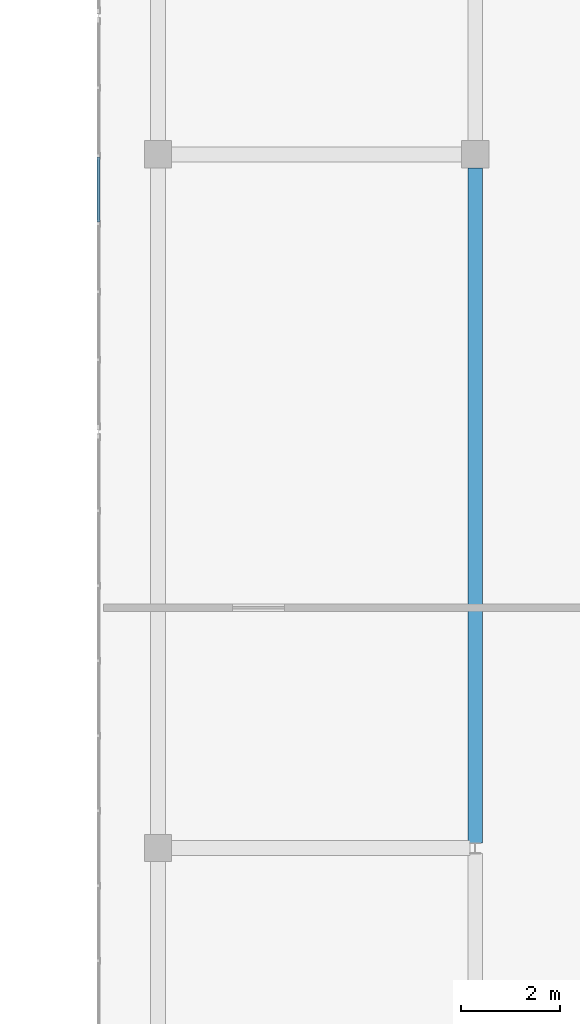
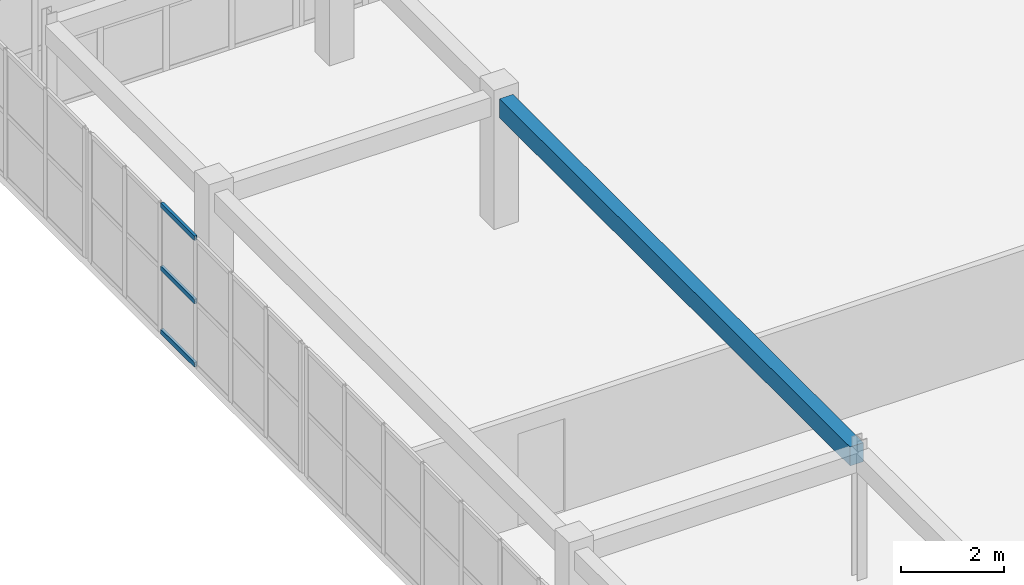
# One storey, part 54 of 148: 3 members, 1 beam, 1 element without a shape of its own.
"""IFC4 building model written with IfcOpenShell, lengths in metres."""

import ifcopenshell
import ifcopenshell.guid

model = None  # the IFC model being written
_history = None  # IfcOwnerHistory: only IFC2X3 demands one
_inside = {}  # id of a spatial element -> (the spatial element, [elements in it])
_under = {}  # id of a project, library or spatial element -> (it, [spatial elements below it])
_declared = {}  # id of a project -> (the project, [libraries it declares])
_typed = {}  # id of a type object -> (the type object, [elements of that type])
_made_of = {}  # id of a material, layer set ... -> (it, [elements and type objects made of it])


def new_model(schema):
    """Start an empty IFC model of exactly this schema.

    Asked for "IFC4X3", IfcOpenShell would pick the latest addendum, in which some entities
    have other attributes; the version numbers below select the first issue.
    IFC2X3 requires an IfcOwnerHistory on every rooted entity: one is made here for all.
    """
    global model, _history
    if schema == "IFC4X3":
        model = ifcopenshell.file(schema_version=(4, 3, 0, 0))
    else:
        model = ifcopenshell.file(schema=schema)
    _inside.clear()
    _under.clear()
    _declared.clear()
    _typed.clear()
    _made_of.clear()
    _history = None
    if model.schema == "IFC2X3":
        org = make("IfcOrganization", Name="unknown")
        user = make(
            "IfcPersonAndOrganization",
            ThePerson=make("IfcPerson", FamilyName="unknown"),
            TheOrganization=org,
        )
        app = make(
            "IfcApplication",
            ApplicationDeveloper=org,
            Version="unknown",
            ApplicationFullName="unknown",
            ApplicationIdentifier="unknown",
        )
        _history = make(
            "IfcOwnerHistory",
            OwningUser=user,
            OwningApplication=app,
            ChangeAction="ADDED",
            CreationDate=0,
        )
    return model


def make(cls, **values):
    """One entity of the class cls with the attributes given. An attribute that is None is left unset."""
    return model.create_entity(
        cls, **{name: value for name, value in values.items() if value is not None}
    )


def rooted(cls, **values):
    """An entity with a GlobalId (a new one), such as an element, a storey or a relation."""
    return make(cls, GlobalId=ifcopenshell.guid.new(), OwnerHistory=_history, **values)


def si_unit(unit_type, name, prefix=None):
    """IfcSIUnit, for example si_unit("LENGTHUNIT", "METRE", prefix="MILLI")."""
    return make("IfcSIUnit", UnitType=unit_type, Prefix=prefix, Name=name)


def assignment(units):
    """IfcUnitAssignment: the units of a project."""
    return None if units is None else make("IfcUnitAssignment", Units=units)


def point(xyz):
    """IfcCartesianPoint."""
    return None if xyz is None else make("IfcCartesianPoint", Coordinates=xyz)


def direction(xyz):
    """IfcDirection."""
    return None if xyz is None else make("IfcDirection", DirectionRatios=xyz)


def frame(location, z_axis=None, x_axis=None):
    """IfcAxis2Placement3D, a coordinate frame: its origin and axes. An axis left out is left unset."""
    return make(
        "IfcAxis2Placement3D",
        Location=point(location),
        Axis=direction(z_axis),
        RefDirection=direction(x_axis),
    )


def frame_2d(location, x_axis=None):
    """IfcAxis2Placement2D, a coordinate frame in the plane: its origin and x axis."""
    return make(
        "IfcAxis2Placement2D", Location=point(location), RefDirection=direction(x_axis)
    )


def origin():
    """The frame at (0, 0, 0) with its axes left unset."""
    return frame((0.0, 0.0, 0.0))


def origin_2d():
    """The frame at (0, 0) in the plane with its x axis left unset."""
    return frame_2d((0.0, 0.0))


def place(relative_to, where):
    """IfcLocalPlacement: puts the frame where relative to a parent placement (None: the world)."""
    return make(
        "IfcLocalPlacement", PlacementRelTo=relative_to, RelativePlacement=where
    )


def context(
    kind, dimensions, precision=None, world=None, true_north=None, identifier=None
):
    """IfcGeometricRepresentationContext, for example the 3D "Model" context."""
    return make(
        "IfcGeometricRepresentationContext",
        ContextIdentifier=identifier,
        ContextType=kind,
        CoordinateSpaceDimension=dimensions,
        Precision=precision,
        WorldCoordinateSystem=world,
        TrueNorth=true_north,
    )


def subcontext(parent, identifier, kind, view, scale=None):
    """IfcGeometricRepresentationSubContext, for example "Body" below "Model"."""
    return make(
        "IfcGeometricRepresentationSubContext",
        ContextIdentifier=identifier,
        ContextType=kind,
        ParentContext=parent,
        TargetScale=scale,
        TargetView=view,
    )


def project(units=None, contexts=None):
    """IfcProject with its units and contexts."""
    return rooted(
        "IfcProject",
        Name="project",
        RepresentationContexts=contexts,
        UnitsInContext=assignment(units),
    )


def spatial(cls, under=None, at=None, **own):
    """A site, building, storey or space (cls), placed at a placement, below another one or the project."""
    s = rooted(cls, ObjectPlacement=at, **own)
    if under is not None:
        _under.setdefault(under.id(), (under, []))[1].append(s)
    return s


def profile(cls, at=None, kind="AREA", **sizes):
    """A parametric profile (cls). Its sizes go by their IFC names, for example OverallWidth=200.0."""
    return make(cls, ProfileType=kind, Position=at, **sizes)


def rectangle(**sizes):
    """IfcRectangleProfileDef."""
    return profile("IfcRectangleProfileDef", **sizes)


def hollow_rectangle(**sizes):
    """IfcRectangleHollowProfileDef."""
    return profile("IfcRectangleHollowProfileDef", **sizes)


def extrude(swept, where, along, depth):
    """IfcExtrudedAreaSolid: the profile swept, set in the frame where, extruded along a direction by depth."""
    return make(
        "IfcExtrudedAreaSolid",
        SweptArea=swept,
        Position=where,
        ExtrudedDirection=direction(along),
        Depth=depth,
    )


def shape(context_of_items, identifier, shape_type, items):
    """IfcShapeRepresentation: the items that make up one representation, for example the "Body"."""
    return make(
        "IfcShapeRepresentation",
        ContextOfItems=context_of_items,
        RepresentationIdentifier=identifier,
        RepresentationType=shape_type,
        Items=items,
    )


def material(Name=None, Category=None):
    """IfcMaterial."""
    return make("IfcMaterial", Name=Name, Category=Category)


def layer(
    of_material, thickness, ventilated=None, Name=None, Category=None, Priority=None
):
    """IfcMaterialLayer: one layer of a wall or slab, of a material (None: an air gap)."""
    return make(
        "IfcMaterialLayer",
        Material=of_material,
        LayerThickness=thickness,
        IsVentilated=ventilated,
        Name=Name,
        Category=Category,
        Priority=Priority,
    )


def layer_set(layers, Name=None):
    """IfcMaterialLayerSet."""
    return make("IfcMaterialLayerSet", MaterialLayers=layers, LayerSetName=Name)


def material_profile(
    of_material, cross_section, Name=None, Category=None, Priority=None
):
    """IfcMaterialProfile: a cross section and its material."""
    return make(
        "IfcMaterialProfile",
        Name=Name,
        Material=of_material,
        Profile=cross_section,
        Priority=Priority,
        Category=Category,
    )


def profile_set(profiles, Name=None, composite=None):
    """IfcMaterialProfileSet."""
    return make(
        "IfcMaterialProfileSet",
        Name=Name,
        MaterialProfiles=profiles,
        CompositeProfile=composite,
    )


def made_of(thing, what):
    """Note that an element or type object is made of a material, layer set ...; save() writes the relation."""
    if what is not None:
        _made_of.setdefault(what.id(), (what, []))[1].append(thing)
    return thing


def type_object(cls, material=None, **own):
    """A type object (cls), such as IfcWallType, which elements share."""
    return made_of(rooted(cls, **own), material)


def element(
    cls,
    number,
    at=None,
    inside=None,
    cuts=None,
    type_object=None,
    material=None,
    context=None,
    identifier="Body",
    shape_type=None,
    held_by="IfcProductDefinitionShape",
    body=None,
    shapes=None,
    **own,
):
    """One element of the class cls, such as IfcWall. Its Tag is "e" and its number.

    at: its placement. inside: the storey or other place that contains it. cuts: it is an
    opening in that element (IfcRelVoidsElement). A single representation is given by context,
    identifier, shape_type and body (its items); several are given by shapes. held_by: the class
    of the entity that holds the representations. save() writes the other relations.
    """
    e = rooted(cls, Tag="e%d" % number, ObjectPlacement=at, **own)
    if body is not None:
        shapes = [shape(context, identifier, shape_type, body)]
    if shapes is not None:
        e.Representation = make(held_by, Representations=shapes)
    if inside is not None:
        _inside.setdefault(inside.id(), (inside, []))[1].append(e)
    if cuts is not None:
        rooted(
            "IfcRelVoidsElement", RelatingBuildingElement=cuts, RelatedOpeningElement=e
        )
    if type_object is not None:
        _typed.setdefault(type_object.id(), (type_object, []))[1].append(e)
    return made_of(e, material)


def aggregate(whole, parts):
    """IfcRelAggregates: a whole, such as a stair, and the parts it consists of."""
    return rooted("IfcRelAggregates", RelatingObject=whole, RelatedObjects=parts)


def save(model, path):
    """Write the relations noted so far, then the file.

    IfcRelAggregates (storeys below a building ...), IfcRelContainedInSpatialStructure (elements
    in a storey), IfcRelDefinesByType, IfcRelAssociatesMaterial and IfcRelDeclares: one each for
    every whole, place, type object, material and project.
    """
    for whole, parts in _under.values():
        aggregate(whole, parts)
    for where, things in _inside.values():
        rooted(
            "IfcRelContainedInSpatialStructure",
            RelatedElements=things,
            RelatingStructure=where,
        )
    for kind, things in _typed.values():
        rooted("IfcRelDefinesByType", RelatedObjects=things, RelatingType=kind)
    for what, things in _made_of.values():
        rooted("IfcRelAssociatesMaterial", RelatedObjects=things, RelatingMaterial=what)
    for by, libraries in _declared.values():
        rooted("IfcRelDeclares", RelatingContext=by, RelatedDefinitions=libraries)
    model.write(path)


model = new_model("IFC4")

# Units and contexts
model_context = context("Model", 3, precision=1e-05, world=origin(), true_north=direction((0.0, 1.0)))
body_context = subcontext(model_context, "Body", "Model", "MODEL_VIEW")
ifc_project = project(units=[si_unit("LENGTHUNIT", "METRE"), si_unit("AREAUNIT", "SQUARE_METRE"), si_unit("VOLUMEUNIT", "CUBIC_METRE"), si_unit("PLANEANGLEUNIT", "RADIAN"), si_unit("MASSUNIT", "GRAM", prefix="KILO")], contexts=[model_context])

# Site, building, storey
site_placement = place(None, origin())
site = spatial("IfcSite", under=ifc_project, at=site_placement, CompositionType="ELEMENT")
building_placement = place(site_placement, origin())
building = spatial("IfcBuilding", under=site, at=building_placement, Name="Trelvath General Hospital", CompositionType="ELEMENT")
storey_placement = place(building_placement, frame((0.0, 0.0, 12.89990234375)))
storey = spatial("IfcBuildingStorey", under=building, at=storey_placement, Name="L03", CompositionType="ELEMENT", Elevation=12.89990234375)

# Beam
ifc_material_1 = material(Name="Concrete C35/45", Category="concrete")
ifc_material_profile_1 = material_profile(ifc_material_1, rectangle(XDim=0.300048828125, YDim=0.449951171875, at=origin_2d()), Name="RCB300x450")
ifc_profile_set_1 = profile_set([ifc_material_profile_1], Name="Concrete C35/45")
beam_type = type_object("IfcBeamType", Name="Beam RC300x450", PredefinedType="BEAM", material=ifc_profile_set_1)
beam_placement = place(storey_placement, frame((60.800048828125, 58.906005859375, 2.835205078125), z_axis=(0.0, 1.0, 0.0), x_axis=(-1.0, 0.0, 0.0)))
element("IfcBeam", 1, at=beam_placement, inside=storey, type_object=beam_type, Name="Cube Interior Ring Beam CUBE-W-T1 L03", PredefinedType="BEAM", context=body_context, shape_type="SweptSolid", body=[
    extrude(rectangle(XDim=0.300048828125, YDim=0.449951171875, at=origin_2d()), origin(), (0.0, 0.0, 1.0), 13.623046875),
])

# Curtain wall, members
ifc_material_2 = material(Name="Anodised aluminium and low-E glass", Category="aluminium")
ifc_layer = layer(ifc_material_2, 0.14990234375)
ifc_layer_set = layer_set([ifc_layer], Name="Anodised aluminium and low-E glass")
curtain_wall_type = type_object("IfcCurtainWallType", Name="CW CrystalCube 824 306 15", PredefinedType="USERDEFINED", material=ifc_layer_set)
curtain_wall_placement = place(storey_placement, origin())
curtain_wall = element("IfcCurtainWall", 2, at=curtain_wall_placement, inside=storey, type_object=curtain_wall_type, Name="Crystal Cube Curtain Wall CUBE-W-T1 W4 L03", ObjectType="Unitised Glazed Curtain Wall", PredefinedType="USERDEFINED")
ifc_material_3 = material(Name="Anodised aluminium", Category="aluminium")
ifc_material_profile_2 = material_profile(ifc_material_3, hollow_rectangle(XDim=0.06005859375, YDim=0.110107421875, WallThickness=0.00390625, at=origin_2d()), Name="RHS60x110x4")
ifc_profile_set_2 = profile_set([ifc_material_profile_2], Name="Anodised aluminium")
member_type = type_object("IfcMemberType", Name="CurtainTransom 60x110", PredefinedType="USERDEFINED", material=ifc_profile_set_2)
member_1_placement = place(storey_placement, frame((53.199951171875, 71.429931640625, 0.030029296875), z_axis=(0.0, 1.0, 0.0), x_axis=(-1.0, 0.0, 0.0)))
member_1 = element("IfcMember", 3, at=member_1_placement, type_object=member_type, Name="CW-240 transom 4.1", ObjectType="TRANSOM", PredefinedType="USERDEFINED", context=body_context, shape_type="SweptSolid", body=[
    extrude(hollow_rectangle(XDim=0.06005859375, YDim=0.110107421875, WallThickness=0.00390625, at=origin_2d()), origin(), (0.0, 0.0, 1.0), 1.3134765625),
])
member_2_placement = place(storey_placement, frame((53.199951171875, 71.429931640625, 1.530029296875), z_axis=(0.0, 1.0, 0.0), x_axis=(-1.0, 0.0, 0.0)))
member_2 = element("IfcMember", 4, at=member_2_placement, type_object=member_type, Name="CW-240 transom 4.2", ObjectType="TRANSOM", PredefinedType="USERDEFINED", context=body_context, shape_type="SweptSolid", body=[
    extrude(hollow_rectangle(XDim=0.06005859375, YDim=0.110107421875, WallThickness=0.00390625, at=origin_2d()), origin(), (0.0, 0.0, 1.0), 1.3134765625),
])
member_3_placement = place(storey_placement, frame((53.199951171875, 71.429931640625, 3.030029296875), z_axis=(0.0, 1.0, 0.0), x_axis=(-1.0, 0.0, 0.0)))
member_3 = element("IfcMember", 5, at=member_3_placement, type_object=member_type, Name="CW-240 transom 4.3", ObjectType="TRANSOM", PredefinedType="USERDEFINED", context=body_context, shape_type="SweptSolid", body=[
    extrude(hollow_rectangle(XDim=0.06005859375, YDim=0.110107421875, WallThickness=0.00390625, at=origin_2d()), origin(), (0.0, 0.0, 1.0), 1.3134765625),
])
aggregate(curtain_wall, [member_1, member_2, member_3])

save(model, "model.ifc")
